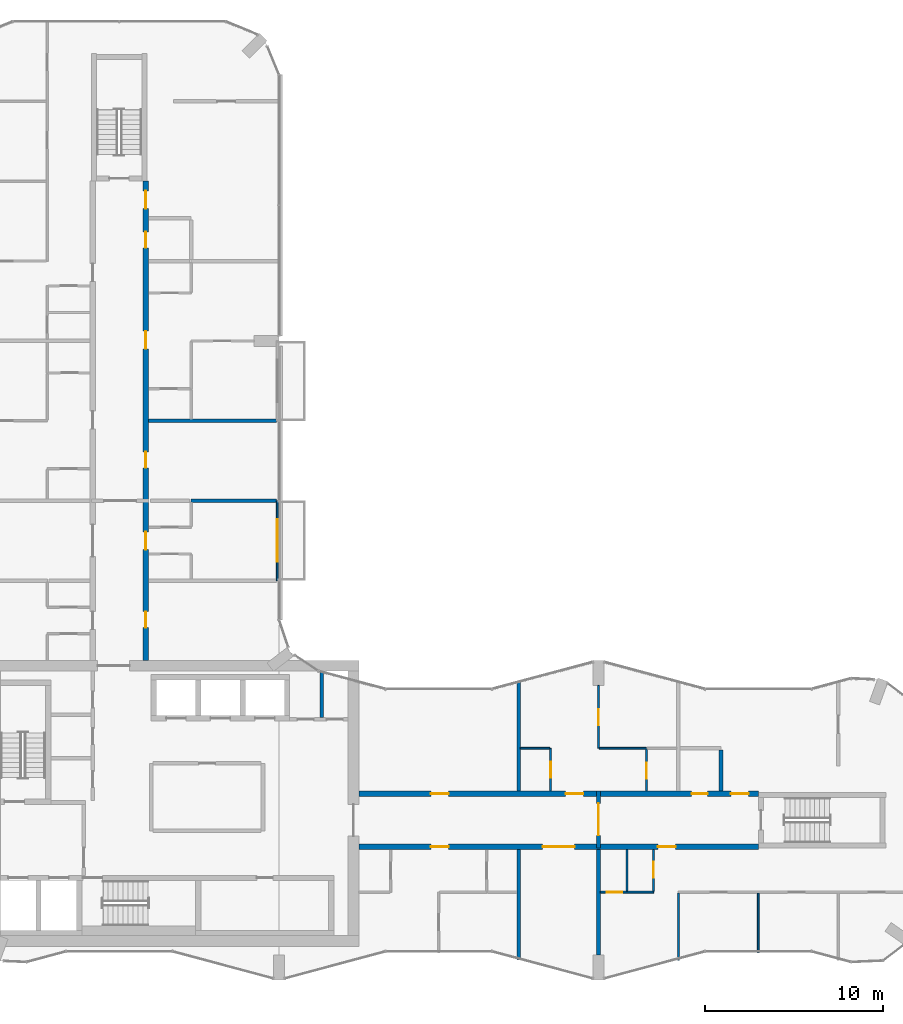
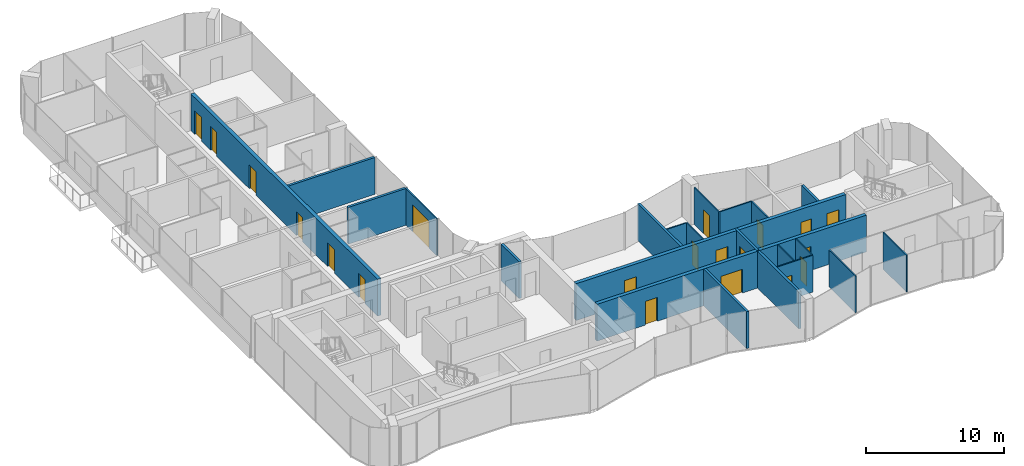
# One storey, part 11 of 15: 22 walls, 20 doors, 20 openings.
"""IFC4 building model written with IfcOpenShell, lengths in metres."""

from ifc_helpers import new_model, si_unit, direction, frame, frame_2d, origin, place, context, subcontext, project, spatial, rectangle, extrude, material, layer, layer_set, type_object, element, fill, save


model = new_model("IFC4")

# Units and contexts
model_context = context("Model", 3, precision=1e-05, world=origin(), true_north=direction((0.0, 1.0)))
body_context = subcontext(model_context, "Body", "Model", "MODEL_VIEW")
ifc_project = project(units=[si_unit("LENGTHUNIT", "METRE"), si_unit("AREAUNIT", "SQUARE_METRE"), si_unit("VOLUMEUNIT", "CUBIC_METRE"), si_unit("PLANEANGLEUNIT", "RADIAN"), si_unit("MASSUNIT", "GRAM", prefix="KILO")], contexts=[model_context])

# Site, building, storey
site_placement = place(None, origin())
site = spatial("IfcSite", under=ifc_project, at=site_placement, CompositionType="ELEMENT")
building_placement = place(site_placement, origin())
building = spatial("IfcBuilding", under=site, at=building_placement, Name="Plateau Cross Towers", CompositionType="ELEMENT")
storey_placement = place(building_placement, frame((0.0, 0.0, 153.39990234375)))
storey = spatial("IfcBuildingStorey", under=building, at=storey_placement, Name="L39", CompositionType="ELEMENT", Elevation=153.39990234375)

# Wall, opening, door
ifc_material_1 = material(Name="Aluminium framed glazing", Category="aluminium")
ifc_layer_1 = layer(ifc_material_1, 0.10009765625)
ifc_layer_set_1 = layer_set([ifc_layer_1], Name="Aluminium framed glazing")
wall_type_1 = type_object("IfcWallType", Name="Balcony screen wall 100", PredefinedType="STANDARD", material=ifc_layer_set_1)
wall_1_placement = place(storey_placement, frame((17.89990234375, 27.0, 0.0), z_axis=(0.0, 0.0, 1.0), x_axis=(0.0, -1.0, 0.0)))
wall_1 = element("IfcWall", 1, at=wall_1_placement, inside=storey, type_object=wall_type_1, Name="Balcony screen wall A-BAL-L39-03", PredefinedType="STANDARD", context=body_context, shape_type="SweptSolid", body=[
    extrude(rectangle(XDim=4.5, YDim=0.10009765625, at=frame_2d((2.25, 0.0))), origin(), (0.0, 0.0, 1.0), 3.25),
])
opening_1_placement = place(wall_1_placement, frame((1.050048828125, 0.0, 0.0)))
opening_1 = element("IfcOpeningElement", 2, at=opening_1_placement, cuts=wall_1, Name="Opening D-B24", PredefinedType="OPENING", context=body_context, shape_type="SweptSolid", body=[
    extrude(rectangle(XDim=2.39990234375, YDim=2.39990234375, at=frame_2d((1.199951171875, 1.199951171875))), frame((0.0, 0.06005859375, 0.0), z_axis=(0.0, -1.0, 0.0), x_axis=(1.0, 0.0, 0.0)), (0.0, 0.0, 1.0), 0.1201171875),
])
ifc_material_2 = material(Name="Aluminium frame, double glazing", Category="aluminium")
door_type_1 = type_object("IfcDoorType", Name="Balcony sliding door 2400", OperationType="NOTDEFINED", PredefinedType="DOOR", material=ifc_material_2)
door_1_placement = place(opening_1_placement, origin())
door_1 = element("IfcDoor", 3, at=door_1_placement, inside=storey, type_object=door_type_1, Name="Balcony door A-BAL-L39-03", OperationType="SINGLE_SWING_LEFT", OverallHeight=2.39990234375, OverallWidth=2.39990234375, PredefinedType="DOOR", context=body_context, shape_type="SweptSolid", body=[
    extrude(rectangle(XDim=2.39990234375, YDim=2.39990234375, at=frame_2d((1.199951171875, 1.199951171875))), frame((0.0, 0.02490234375, 0.0), z_axis=(0.0, -1.0, 0.0), x_axis=(1.0, 0.0, 0.0)), (0.0, 0.0, 1.0), 0.050048828125),
])
fill(opening_1, door_1)

# Wall
ifc_material_3 = material(Name="Concrete block, plastered both sides", Category="concrete")
ifc_layer_2 = layer(ifc_material_3, 0.199951171875)
ifc_layer_set_2 = layer_set([ifc_layer_2], Name="Concrete block, plastered both sides")
wall_type_2 = type_object("IfcWallType", Name="Core partition 200", PredefinedType="PARTITIONING", material=ifc_layer_set_2)
wall_2_placement = place(storey_placement, frame((20.39990234375, 14.800048828125, 0.0), z_axis=(0.0, 0.0, 1.0), x_axis=(0.0, 1.0, 0.0)))
element("IfcWall", 4, at=wall_2_placement, inside=storey, type_object=wall_type_2, Name="Core partition", PredefinedType="PARTITIONING", context=body_context, shape_type="SweptSolid", body=[
    extrude(rectangle(XDim=2.599853515625, YDim=0.199951171875, at=frame_2d((1.2998046875, 0.0))), origin(), (0.0, 0.0, 1.0), 3.25),
])

# Wall, openings, doors
ifc_material_4 = material(Name="Concrete C60/75", Category="concrete")
ifc_layer_3 = layer(ifc_material_4, 0.300048828125)
ifc_layer_set_3 = layer_set([ifc_layer_3], Name="Concrete C60/75")
wall_type_3 = type_object("IfcWallType", Name="Corridor wall 300", PredefinedType="SHEAR", material=ifc_layer_set_3)
wall_3_placement = place(storey_placement, frame((22.5, 7.5, 0.0), z_axis=(0.0, 0.0, 1.0), x_axis=(1.0, 0.0, 0.0)))
wall_3 = element("IfcWall", 5, at=wall_3_placement, inside=storey, type_object=wall_type_3, Name="A-cw-S1@L39", PredefinedType="SHEAR", context=body_context, shape_type="SweptSolid", body=[
    extrude(rectangle(XDim=22.5, YDim=0.300048828125, at=frame_2d((11.25, 0.0))), origin(), (0.0, 0.0, 1.0), 3.25),
])
opening_2_placement = place(wall_3_placement, frame((4.050048828125, 0.0, 0.0)))
opening_2 = element("IfcOpeningElement", 6, at=opening_2_placement, cuts=wall_3, Name="Opening 39-01", PredefinedType="OPENING", context=body_context, shape_type="SweptSolid", body=[
    extrude(rectangle(XDim=1.0, YDim=2.10009765625, at=frame_2d((0.5, 1.050048828125))), frame((0.0, 0.159912109375, 0.0), z_axis=(0.0, -1.0, 0.0), x_axis=(1.0, 0.0, 0.0)), (0.0, 0.0, 1.0), 0.320068359375),
])
opening_3_placement = place(wall_3_placement, frame((10.35009765625, 0.0, 0.0)))
opening_3 = element("IfcOpeningElement", 7, at=opening_3_placement, cuts=wall_3, Name="Opening 39-02", PredefinedType="OPENING", context=body_context, shape_type="SweptSolid", body=[
    extrude(rectangle(XDim=1.800048828125, YDim=2.10009765625, at=frame_2d((0.89990234375, 1.050048828125))), frame((0.0, 0.159912109375, 0.0), z_axis=(0.0, -1.0, 0.0), x_axis=(1.0, 0.0, 0.0)), (0.0, 0.0, 1.0), 0.320068359375),
])
opening_4_placement = place(wall_3_placement, frame((16.85009765625, 0.0, 0.0)))
opening_4 = element("IfcOpeningElement", 8, at=opening_4_placement, cuts=wall_3, Name="Opening 39-03", PredefinedType="OPENING", context=body_context, shape_type="SweptSolid", body=[
    extrude(rectangle(XDim=1.0, YDim=2.10009765625, at=frame_2d((0.5, 1.050048828125))), frame((0.0, 0.159912109375, 0.0), z_axis=(0.0, -1.0, 0.0), x_axis=(1.0, 0.0, 0.0)), (0.0, 0.0, 1.0), 0.320068359375),
])
ifc_material_5 = material(Name="Timber, fire-resisting leaf", Category="wood")
door_type_2 = type_object("IfcDoorType", Name="Flat entrance door 1000", OperationType="NOTDEFINED", PredefinedType="DOOR", material=ifc_material_5)
door_2_placement = place(opening_2_placement, origin())
door_2 = element("IfcDoor", 9, at=door_2_placement, inside=storey, type_object=door_type_2, Name="Door 39-01", OperationType="SINGLE_SWING_LEFT", OverallHeight=2.10009765625, OverallWidth=1.0, PredefinedType="DOOR", context=body_context, shape_type="SweptSolid", body=[
    extrude(rectangle(XDim=1.0, YDim=2.10009765625, at=frame_2d((0.5, 1.050048828125))), frame((0.0, 0.02490234375, 0.0), z_axis=(0.0, -1.0, 0.0), x_axis=(1.0, 0.0, 0.0)), (0.0, 0.0, 1.0), 0.050048828125),
])
fill(opening_2, door_2)
door_3_placement = place(opening_4_placement, origin())
door_3 = element("IfcDoor", 10, at=door_3_placement, inside=storey, type_object=door_type_2, Name="Door 39-03", OperationType="SINGLE_SWING_RIGHT", OverallHeight=2.10009765625, OverallWidth=1.0, PredefinedType="DOOR", context=body_context, shape_type="SweptSolid", body=[
    extrude(rectangle(XDim=1.0, YDim=2.10009765625, at=frame_2d((0.5, 1.050048828125))), frame((0.0, 0.02490234375, 0.0), z_axis=(0.0, -1.0, 0.0), x_axis=(1.0, 0.0, 0.0)), (0.0, 0.0, 1.0), 0.050048828125),
])
fill(opening_4, door_3)
ifc_material_6 = material(Name="Timber, fire-resisting leaves", Category="wood")
door_type_3 = type_object("IfcDoorType", Name="Flat floor fire door pair 1800", OperationType="NOTDEFINED", PredefinedType="DOOR", material=ifc_material_6)
door_4_placement = place(opening_3_placement, origin())
door_4 = element("IfcDoor", 11, at=door_4_placement, inside=storey, type_object=door_type_3, Name="Door 39-02", OperationType="SINGLE_SWING_LEFT", OverallHeight=2.10009765625, OverallWidth=1.800048828125, PredefinedType="DOOR", context=body_context, shape_type="SweptSolid", body=[
    extrude(rectangle(XDim=1.800048828125, YDim=2.10009765625, at=frame_2d((0.89990234375, 1.050048828125))), frame((0.0, 0.02490234375, 0.0), z_axis=(0.0, -1.0, 0.0), x_axis=(1.0, 0.0, 0.0)), (0.0, 0.0, 1.0), 0.050048828125),
])
fill(opening_3, door_4)

wall_4_placement = place(storey_placement, frame((22.5, 10.5, 0.0), z_axis=(0.0, 0.0, 1.0), x_axis=(1.0, 0.0, 0.0)))
wall_4 = element("IfcWall", 12, at=wall_4_placement, inside=storey, type_object=wall_type_3, Name="A-cw-S2@L39", PredefinedType="SHEAR", context=body_context, shape_type="SweptSolid", body=[
    extrude(rectangle(XDim=22.5, YDim=0.300048828125, at=frame_2d((11.25, 0.0))), origin(), (0.0, 0.0, 1.0), 3.25),
])
opening_5_placement = place(wall_4_placement, frame((4.050048828125, 0.0, 0.0)))
opening_5 = element("IfcOpeningElement", 13, at=opening_5_placement, cuts=wall_4, Name="Opening 39-04", PredefinedType="OPENING", context=body_context, shape_type="SweptSolid", body=[
    extrude(rectangle(XDim=1.0, YDim=2.10009765625, at=frame_2d((0.5, 1.050048828125))), frame((0.0, 0.159912109375, 0.0), z_axis=(0.0, -1.0, 0.0), x_axis=(1.0, 0.0, 0.0)), (0.0, 0.0, 1.0), 0.320068359375),
])
opening_6_placement = place(wall_4_placement, frame((11.64990234375, 0.0, 0.0)))
opening_6 = element("IfcOpeningElement", 14, at=opening_6_placement, cuts=wall_4, Name="Opening 39-05", PredefinedType="OPENING", context=body_context, shape_type="SweptSolid", body=[
    extrude(rectangle(XDim=1.0, YDim=2.10009765625, at=frame_2d((0.5, 1.050048828125))), frame((0.0, 0.159912109375, 0.0), z_axis=(0.0, -1.0, 0.0), x_axis=(1.0, 0.0, 0.0)), (0.0, 0.0, 1.0), 0.320068359375),
])
opening_7_placement = place(wall_4_placement, frame((18.75, 0.0, 0.0)))
opening_7 = element("IfcOpeningElement", 15, at=opening_7_placement, cuts=wall_4, Name="Opening 39-06", PredefinedType="OPENING", context=body_context, shape_type="SweptSolid", body=[
    extrude(rectangle(XDim=0.89990234375, YDim=2.10009765625, at=frame_2d((0.449951171875, 1.050048828125))), frame((0.0, 0.159912109375, 0.0), z_axis=(0.0, -1.0, 0.0), x_axis=(1.0, 0.0, 0.0)), (0.0, 0.0, 1.0), 0.320068359375),
])
opening_8_placement = place(wall_4_placement, frame((20.949951171875, 0.0, 0.0)))
opening_8 = element("IfcOpeningElement", 16, at=opening_8_placement, cuts=wall_4, Name="Opening 39-07", PredefinedType="OPENING", context=body_context, shape_type="SweptSolid", body=[
    extrude(rectangle(XDim=1.0, YDim=2.10009765625, at=frame_2d((0.5, 1.050048828125))), frame((0.0, 0.159912109375, 0.0), z_axis=(0.0, -1.0, 0.0), x_axis=(1.0, 0.0, 0.0)), (0.0, 0.0, 1.0), 0.320068359375),
])
door_5_placement = place(opening_5_placement, origin())
door_5 = element("IfcDoor", 17, at=door_5_placement, inside=storey, type_object=door_type_2, Name="Door 39-04", OperationType="SINGLE_SWING_LEFT", OverallHeight=2.10009765625, OverallWidth=1.0, PredefinedType="DOOR", context=body_context, shape_type="SweptSolid", body=[
    extrude(rectangle(XDim=1.0, YDim=2.10009765625, at=frame_2d((0.5, 1.050048828125))), frame((0.0, 0.02490234375, 0.0), z_axis=(0.0, -1.0, 0.0), x_axis=(1.0, 0.0, 0.0)), (0.0, 0.0, 1.0), 0.050048828125),
])
fill(opening_5, door_5)
door_6_placement = place(opening_6_placement, origin())
door_6 = element("IfcDoor", 18, at=door_6_placement, inside=storey, type_object=door_type_2, Name="Door 39-05", OperationType="SINGLE_SWING_RIGHT", OverallHeight=2.10009765625, OverallWidth=1.0, PredefinedType="DOOR", context=body_context, shape_type="SweptSolid", body=[
    extrude(rectangle(XDim=1.0, YDim=2.10009765625, at=frame_2d((0.5, 1.050048828125))), frame((0.0, 0.02490234375, 0.0), z_axis=(0.0, -1.0, 0.0), x_axis=(1.0, 0.0, 0.0)), (0.0, 0.0, 1.0), 0.050048828125),
])
fill(opening_6, door_6)
door_7_placement = place(opening_8_placement, origin())
door_7 = element("IfcDoor", 19, at=door_7_placement, inside=storey, type_object=door_type_2, Name="Door 39-07", OperationType="SINGLE_SWING_RIGHT", OverallHeight=2.10009765625, OverallWidth=1.0, PredefinedType="DOOR", context=body_context, shape_type="SweptSolid", body=[
    extrude(rectangle(XDim=1.0, YDim=2.10009765625, at=frame_2d((0.5, 1.050048828125))), frame((0.0, 0.02490234375, 0.0), z_axis=(0.0, -1.0, 0.0), x_axis=(1.0, 0.0, 0.0)), (0.0, 0.0, 1.0), 0.050048828125),
])
fill(opening_8, door_7)
door_type_4 = type_object("IfcDoorType", Name="Flat floor service door 900", OperationType="NOTDEFINED", PredefinedType="DOOR", material=ifc_material_5)
door_8_placement = place(opening_7_placement, origin())
door_8 = element("IfcDoor", 20, at=door_8_placement, inside=storey, type_object=door_type_4, Name="Door 39-06", OperationType="SINGLE_SWING_RIGHT", OverallHeight=2.10009765625, OverallWidth=0.89990234375, PredefinedType="DOOR", context=body_context, shape_type="SweptSolid", body=[
    extrude(rectangle(XDim=0.89990234375, YDim=2.10009765625, at=frame_2d((0.449951171875, 1.050048828125))), frame((0.0, 0.02490234375, 0.0), z_axis=(0.0, -1.0, 0.0), x_axis=(1.0, 0.0, 0.0)), (0.0, 0.0, 1.0), 0.050048828125),
])
fill(opening_7, door_8)

wall_5_placement = place(storey_placement, frame((10.5, 18.0, 0.0), z_axis=(0.0, 0.0, 1.0), x_axis=(0.0, 1.0, 0.0)))
wall_5 = element("IfcWall", 21, at=wall_5_placement, inside=storey, type_object=wall_type_3, Name="A-cw-W2@L39", PredefinedType="SHEAR", context=body_context, shape_type="SweptSolid", body=[
    extrude(rectangle(XDim=27.0, YDim=0.300048828125, at=frame_2d((13.5, 0.0))), origin(), (0.0, 0.0, 1.0), 3.25),
])
opening_9_placement = place(wall_5_placement, frame((1.85009765625, 0.0, 0.0)))
opening_9 = element("IfcOpeningElement", 22, at=opening_9_placement, cuts=wall_5, Name="Opening 39-12", PredefinedType="OPENING", context=body_context, shape_type="SweptSolid", body=[
    extrude(rectangle(XDim=0.89990234375, YDim=2.10009765625, at=frame_2d((0.449951171875, 1.050048828125))), frame((0.0, 0.159912109375, 0.0), z_axis=(0.0, -1.0, 0.0), x_axis=(1.0, 0.0, 0.0)), (0.0, 0.0, 1.0), 0.320068359375),
])
opening_10_placement = place(wall_5_placement, frame((6.25, 0.0, 0.0)))
opening_10 = element("IfcOpeningElement", 23, at=opening_10_placement, cuts=wall_5, Name="Opening 39-13", PredefinedType="OPENING", context=body_context, shape_type="SweptSolid", body=[
    extrude(rectangle(XDim=1.0, YDim=2.10009765625, at=frame_2d((0.5, 1.050048828125))), frame((0.0, 0.159912109375, 0.0), z_axis=(0.0, -1.0, 0.0), x_axis=(1.0, 0.0, 0.0)), (0.0, 0.0, 1.0), 0.320068359375),
])
opening_11_placement = place(wall_5_placement, frame((10.85009765625, 0.0, 0.0)))
opening_11 = element("IfcOpeningElement", 24, at=opening_11_placement, cuts=wall_5, Name="Opening 39-14", PredefinedType="OPENING", context=body_context, shape_type="SweptSolid", body=[
    extrude(rectangle(XDim=0.89990234375, YDim=2.10009765625, at=frame_2d((0.449951171875, 1.050048828125))), frame((0.0, 0.159912109375, 0.0), z_axis=(0.0, -1.0, 0.0), x_axis=(1.0, 0.0, 0.0)), (0.0, 0.0, 1.0), 0.320068359375),
])
opening_12_placement = place(wall_5_placement, frame((17.550048828125, 0.0, 0.0)))
opening_12 = element("IfcOpeningElement", 25, at=opening_12_placement, cuts=wall_5, Name="Opening 39-15", PredefinedType="OPENING", context=body_context, shape_type="SweptSolid", body=[
    extrude(rectangle(XDim=1.0, YDim=2.10009765625, at=frame_2d((0.5, 1.050048828125))), frame((0.0, 0.159912109375, 0.0), z_axis=(0.0, -1.0, 0.0), x_axis=(1.0, 0.0, 0.0)), (0.0, 0.0, 1.0), 0.320068359375),
])
opening_13_placement = place(wall_5_placement, frame((23.25, 0.0, 0.0)))
opening_13 = element("IfcOpeningElement", 26, at=opening_13_placement, cuts=wall_5, Name="Opening 39-16", PredefinedType="OPENING", context=body_context, shape_type="SweptSolid", body=[
    extrude(rectangle(XDim=0.89990234375, YDim=2.10009765625, at=frame_2d((0.449951171875, 1.050048828125))), frame((0.0, 0.159912109375, 0.0), z_axis=(0.0, -1.0, 0.0), x_axis=(1.0, 0.0, 0.0)), (0.0, 0.0, 1.0), 0.320068359375),
])
opening_14_placement = place(wall_5_placement, frame((25.449951171875, 0.0, 0.0)))
opening_14 = element("IfcOpeningElement", 27, at=opening_14_placement, cuts=wall_5, Name="Opening 39-17", PredefinedType="OPENING", context=body_context, shape_type="SweptSolid", body=[
    extrude(rectangle(XDim=1.0, YDim=2.10009765625, at=frame_2d((0.5, 1.050048828125))), frame((0.0, 0.159912109375, 0.0), z_axis=(0.0, -1.0, 0.0), x_axis=(1.0, 0.0, 0.0)), (0.0, 0.0, 1.0), 0.320068359375),
])
door_9_placement = place(opening_10_placement, origin())
door_9 = element("IfcDoor", 28, at=door_9_placement, inside=storey, type_object=door_type_2, Name="Door 39-13", OperationType="SINGLE_SWING_LEFT", OverallHeight=2.10009765625, OverallWidth=1.0, PredefinedType="DOOR", context=body_context, shape_type="SweptSolid", body=[
    extrude(rectangle(XDim=1.0, YDim=2.10009765625, at=frame_2d((0.5, 1.050048828125))), frame((0.0, 0.02490234375, 0.0), z_axis=(0.0, -1.0, 0.0), x_axis=(1.0, 0.0, 0.0)), (0.0, 0.0, 1.0), 0.050048828125),
])
fill(opening_10, door_9)
door_10_placement = place(opening_12_placement, origin())
door_10 = element("IfcDoor", 29, at=door_10_placement, inside=storey, type_object=door_type_2, Name="Door 39-15", OperationType="SINGLE_SWING_RIGHT", OverallHeight=2.10009765625, OverallWidth=1.0, PredefinedType="DOOR", context=body_context, shape_type="SweptSolid", body=[
    extrude(rectangle(XDim=1.0, YDim=2.10009765625, at=frame_2d((0.5, 1.050048828125))), frame((0.0, 0.02490234375, 0.0), z_axis=(0.0, -1.0, 0.0), x_axis=(1.0, 0.0, 0.0)), (0.0, 0.0, 1.0), 0.050048828125),
])
fill(opening_12, door_10)
door_11_placement = place(opening_14_placement, origin())
door_11 = element("IfcDoor", 30, at=door_11_placement, inside=storey, type_object=door_type_2, Name="Door 39-17", OperationType="SINGLE_SWING_RIGHT", OverallHeight=2.10009765625, OverallWidth=1.0, PredefinedType="DOOR", context=body_context, shape_type="SweptSolid", body=[
    extrude(rectangle(XDim=1.0, YDim=2.10009765625, at=frame_2d((0.5, 1.050048828125))), frame((0.0, 0.02490234375, 0.0), z_axis=(0.0, -1.0, 0.0), x_axis=(1.0, 0.0, 0.0)), (0.0, 0.0, 1.0), 0.050048828125),
])
fill(opening_14, door_11)
door_12_placement = place(opening_9_placement, origin())
door_12 = element("IfcDoor", 31, at=door_12_placement, inside=storey, type_object=door_type_4, Name="Door 39-12", OperationType="SINGLE_SWING_LEFT", OverallHeight=2.10009765625, OverallWidth=0.89990234375, PredefinedType="DOOR", context=body_context, shape_type="SweptSolid", body=[
    extrude(rectangle(XDim=0.89990234375, YDim=2.10009765625, at=frame_2d((0.449951171875, 1.050048828125))), frame((0.0, 0.02490234375, 0.0), z_axis=(0.0, -1.0, 0.0), x_axis=(1.0, 0.0, 0.0)), (0.0, 0.0, 1.0), 0.050048828125),
])
fill(opening_9, door_12)
door_13_placement = place(opening_11_placement, origin())
door_13 = element("IfcDoor", 32, at=door_13_placement, inside=storey, type_object=door_type_4, Name="Door 39-14", OperationType="SINGLE_SWING_LEFT", OverallHeight=2.10009765625, OverallWidth=0.89990234375, PredefinedType="DOOR", context=body_context, shape_type="SweptSolid", body=[
    extrude(rectangle(XDim=0.89990234375, YDim=2.10009765625, at=frame_2d((0.449951171875, 1.050048828125))), frame((0.0, 0.02490234375, 0.0), z_axis=(0.0, -1.0, 0.0), x_axis=(1.0, 0.0, 0.0)), (0.0, 0.0, 1.0), 0.050048828125),
])
fill(opening_11, door_13)
door_14_placement = place(opening_13_placement, origin())
door_14 = element("IfcDoor", 33, at=door_14_placement, inside=storey, type_object=door_type_4, Name="Door 39-16", OperationType="SINGLE_SWING_RIGHT", OverallHeight=2.10009765625, OverallWidth=0.89990234375, PredefinedType="DOOR", context=body_context, shape_type="SweptSolid", body=[
    extrude(rectangle(XDim=0.89990234375, YDim=2.10009765625, at=frame_2d((0.449951171875, 1.050048828125))), frame((0.0, 0.02490234375, 0.0), z_axis=(0.0, -1.0, 0.0), x_axis=(1.0, 0.0, 0.0)), (0.0, 0.0, 1.0), 0.050048828125),
])
fill(opening_13, door_14)

# Wall, opening, door
ifc_material_7 = material(Name="Gypsum board on steel studs", Category="steel")
ifc_layer_4 = layer(ifc_material_7, 0.10009765625)
ifc_layer_set_4 = layer_set([ifc_layer_4], Name="Gypsum board on steel studs")
wall_type_4 = type_object("IfcWallType", Name="Flat partition 100", PredefinedType="PARTITIONING", material=ifc_layer_set_4)
wall_6_placement = place(storey_placement, frame((36.10009765625, 4.949951171875, 0.0), z_axis=(0.0, 0.0, 1.0), x_axis=(1.0, 0.0, 0.0)))
wall_6 = element("IfcWall", 34, at=wall_6_placement, inside=storey, type_object=wall_type_4, Name="Partition wall", PredefinedType="PARTITIONING", context=body_context, shape_type="SweptSolid", body=[
    extrude(rectangle(XDim=3.0, YDim=0.10009765625, at=frame_2d((1.5, 0.0))), origin(), (0.0, 0.0, 1.0), 3.25),
])
opening_15_placement = place(wall_6_placement, frame((0.35009765625, 0.0, 0.0)))
opening_15 = element("IfcOpeningElement", 35, at=opening_15_placement, cuts=wall_6, Name="Opening 39-25", PredefinedType="OPENING", context=body_context, shape_type="SweptSolid", body=[
    extrude(rectangle(XDim=0.89990234375, YDim=2.10009765625, at=frame_2d((0.449951171875, 1.050048828125))), frame((0.0, 0.06005859375, 0.0), z_axis=(0.0, -1.0, 0.0), x_axis=(1.0, 0.0, 0.0)), (0.0, 0.0, 1.0), 0.1201171875),
])
ifc_material_8 = material(Name="Timber leaf", Category="wood")
door_type_5 = type_object("IfcDoorType", Name="Flat room door 900", OperationType="NOTDEFINED", PredefinedType="DOOR", material=ifc_material_8)
door_15_placement = place(opening_15_placement, origin())
door_15 = element("IfcDoor", 36, at=door_15_placement, inside=storey, type_object=door_type_5, Name="Door 39-25", OperationType="SINGLE_SWING_LEFT", OverallHeight=2.10009765625, OverallWidth=0.89990234375, PredefinedType="DOOR", context=body_context, shape_type="SweptSolid", body=[
    extrude(rectangle(XDim=0.89990234375, YDim=2.10009765625, at=frame_2d((0.449951171875, 1.050048828125))), frame((0.0, 0.02490234375, 0.0), z_axis=(0.0, -1.0, 0.0), x_axis=(1.0, 0.0, 0.0)), (0.0, 0.0, 1.0), 0.050048828125),
])
fill(opening_15, door_15)

# Walls
wall_7_placement = place(storey_placement, frame((33.25, 13.050048828125, 0.0), z_axis=(0.0, 0.0, 1.0), x_axis=(-1.0, 0.0, 0.0)))
element("IfcWall", 37, at=wall_7_placement, inside=storey, type_object=wall_type_4, Name="Partition wall", PredefinedType="PARTITIONING", context=body_context, shape_type="SweptSolid", body=[
    extrude(rectangle(XDim=1.64990234375, YDim=0.10009765625, at=frame_2d((0.824951171875, 0.0))), origin(), (0.0, 0.0, 1.0), 3.25),
])
wall_8_placement = place(storey_placement, frame((36.050048828125, 13.050048828125, 0.0), z_axis=(0.0, 0.0, 1.0), x_axis=(1.0, 0.0, 0.0)))
element("IfcWall", 38, at=wall_8_placement, inside=storey, type_object=wall_type_4, Name="Partition wall", PredefinedType="PARTITIONING", context=body_context, shape_type="SweptSolid", body=[
    extrude(rectangle(XDim=2.64990234375, YDim=0.10009765625, at=frame_2d((1.324951171875, 0.0))), origin(), (0.0, 0.0, 1.0), 3.25),
])

# Wall, opening, door
wall_9_placement = place(storey_placement, frame((33.300048828125, 10.64990234375, 0.0), z_axis=(0.0, 0.0, 1.0), x_axis=(0.0, 1.0, 0.0)))
wall_9 = element("IfcWall", 39, at=wall_9_placement, inside=storey, type_object=wall_type_4, Name="Partition wall", PredefinedType="PARTITIONING", context=body_context, shape_type="SweptSolid", body=[
    extrude(rectangle(XDim=2.400146484375, YDim=0.10009765625, at=frame_2d((1.2001953125, 0.0))), origin(), (0.0, 0.0, 1.0), 3.25),
])
opening_16_placement = place(wall_9_placement, frame((0.75, 0.0, 0.0)))
opening_16 = element("IfcOpeningElement", 40, at=opening_16_placement, cuts=wall_9, Name="Opening 39-30", PredefinedType="OPENING", context=body_context, shape_type="SweptSolid", body=[
    extrude(rectangle(XDim=0.89990234375, YDim=2.10009765625, at=frame_2d((0.449951171875, 1.050048828125))), frame((0.0, 0.06005859375, 0.0), z_axis=(0.0, -1.0, 0.0), x_axis=(1.0, 0.0, 0.0)), (0.0, 0.0, 1.0), 0.1201171875),
])
door_16_placement = place(opening_16_placement, origin())
door_16 = element("IfcDoor", 41, at=door_16_placement, inside=storey, type_object=door_type_5, Name="Door 39-30", OperationType="SINGLE_SWING_LEFT", OverallHeight=2.10009765625, OverallWidth=0.89990234375, PredefinedType="DOOR", context=body_context, shape_type="SweptSolid", body=[
    extrude(rectangle(XDim=0.89990234375, YDim=2.10009765625, at=frame_2d((0.449951171875, 1.050048828125))), frame((0.0, 0.02490234375, 0.0), z_axis=(0.0, -1.0, 0.0), x_axis=(1.0, 0.0, 0.0)), (0.0, 0.0, 1.0), 0.050048828125),
])
fill(opening_16, door_16)

wall_10_placement = place(storey_placement, frame((36.0, 16.60009765625, 0.0), z_axis=(0.0, 0.0, 1.0), x_axis=(0.0, -1.0, 0.0)))
wall_10 = element("IfcWall", 42, at=wall_10_placement, inside=storey, type_object=wall_type_4, Name="Partition wall", PredefinedType="PARTITIONING", context=body_context, shape_type="SweptSolid", body=[
    extrude(rectangle(XDim=3.550048828125, YDim=0.10009765625, at=frame_2d((1.77490234375, 0.0))), origin(), (0.0, 0.0, 1.0), 3.25),
])
opening_17_placement = place(wall_10_placement, frame((1.35009765625, 0.0, 0.0)))
opening_17 = element("IfcOpeningElement", 43, at=opening_17_placement, cuts=wall_10, Name="Opening 39-32", PredefinedType="OPENING", context=body_context, shape_type="SweptSolid", body=[
    extrude(rectangle(XDim=0.89990234375, YDim=2.10009765625, at=frame_2d((0.449951171875, 1.050048828125))), frame((0.0, 0.06005859375, 0.0), z_axis=(0.0, -1.0, 0.0), x_axis=(1.0, 0.0, 0.0)), (0.0, 0.0, 1.0), 0.1201171875),
])
door_17_placement = place(opening_17_placement, origin())
door_17 = element("IfcDoor", 44, at=door_17_placement, inside=storey, type_object=door_type_5, Name="Door 39-32", OperationType="SINGLE_SWING_RIGHT", OverallHeight=2.10009765625, OverallWidth=0.89990234375, PredefinedType="DOOR", context=body_context, shape_type="SweptSolid", body=[
    extrude(rectangle(XDim=0.89990234375, YDim=2.10009765625, at=frame_2d((0.449951171875, 1.050048828125))), frame((0.0, 0.02490234375, 0.0), z_axis=(0.0, -1.0, 0.0), x_axis=(1.0, 0.0, 0.0)), (0.0, 0.0, 1.0), 0.050048828125),
])
fill(opening_17, door_17)

# Wall
wall_11_placement = place(storey_placement, frame((37.60009765625, 5.0, 0.0), z_axis=(0.0, 0.0, 1.0), x_axis=(0.0, 1.0, 0.0)))
element("IfcWall", 45, at=wall_11_placement, inside=storey, type_object=wall_type_4, Name="Partition wall", PredefinedType="PARTITIONING", context=body_context, shape_type="SweptSolid", body=[
    extrude(rectangle(XDim=2.35009765625, YDim=0.10009765625, at=frame_2d((1.175048828125, 0.0))), origin(), (0.0, 0.0, 1.0), 3.25),
])

# Wall, opening, door
wall_12_placement = place(storey_placement, frame((38.699951171875, 13.0, 0.0), z_axis=(0.0, 0.0, 1.0), x_axis=(0.0, -1.0, 0.0)))
wall_12 = element("IfcWall", 46, at=wall_12_placement, inside=storey, type_object=wall_type_4, Name="Partition wall", PredefinedType="PARTITIONING", context=body_context, shape_type="SweptSolid", body=[
    extrude(rectangle(XDim=2.35009765625, YDim=0.10009765625, at=frame_2d((1.175048828125, 0.0))), origin(), (0.0, 0.0, 1.0), 3.25),
])
opening_18_placement = place(wall_12_placement, frame((0.75, 0.0, 0.0)))
opening_18 = element("IfcOpeningElement", 47, at=opening_18_placement, cuts=wall_12, Name="Opening 39-31", PredefinedType="OPENING", context=body_context, shape_type="SweptSolid", body=[
    extrude(rectangle(XDim=0.89990234375, YDim=2.10009765625, at=frame_2d((0.449951171875, 1.050048828125))), frame((0.0, 0.06005859375, 0.0), z_axis=(0.0, -1.0, 0.0), x_axis=(1.0, 0.0, 0.0)), (0.0, 0.0, 1.0), 0.1201171875),
])
door_18_placement = place(opening_18_placement, origin())
door_18 = element("IfcDoor", 48, at=door_18_placement, inside=storey, type_object=door_type_5, Name="Door 39-31", OperationType="SINGLE_SWING_RIGHT", OverallHeight=2.10009765625, OverallWidth=0.89990234375, PredefinedType="DOOR", context=body_context, shape_type="SweptSolid", body=[
    extrude(rectangle(XDim=0.89990234375, YDim=2.10009765625, at=frame_2d((0.449951171875, 1.050048828125))), frame((0.0, 0.02490234375, 0.0), z_axis=(0.0, -1.0, 0.0), x_axis=(1.0, 0.0, 0.0)), (0.0, 0.0, 1.0), 0.050048828125),
])
fill(opening_18, door_18)

wall_13_placement = place(storey_placement, frame((39.10009765625, 5.0, 0.0), z_axis=(0.0, 0.0, 1.0), x_axis=(0.0, 1.0, 0.0)))
wall_13 = element("IfcWall", 49, at=wall_13_placement, inside=storey, type_object=wall_type_4, Name="Partition wall", PredefinedType="PARTITIONING", context=body_context, shape_type="SweptSolid", body=[
    extrude(rectangle(XDim=2.35009765625, YDim=0.10009765625, at=frame_2d((1.175048828125, 0.0))), origin(), (0.0, 0.0, 1.0), 3.25),
])
opening_19_placement = place(wall_13_placement, frame((0.75, 0.0, 0.0)))
opening_19 = element("IfcOpeningElement", 50, at=opening_19_placement, cuts=wall_13, Name="Opening 39-26", PredefinedType="OPENING", context=body_context, shape_type="SweptSolid", body=[
    extrude(rectangle(XDim=0.89990234375, YDim=2.10009765625, at=frame_2d((0.449951171875, 1.050048828125))), frame((0.0, 0.06005859375, 0.0), z_axis=(0.0, -1.0, 0.0), x_axis=(1.0, 0.0, 0.0)), (0.0, 0.0, 1.0), 0.1201171875),
])
door_19_placement = place(opening_19_placement, origin())
door_19 = element("IfcDoor", 51, at=door_19_placement, inside=storey, type_object=door_type_5, Name="Door 39-26", OperationType="SINGLE_SWING_RIGHT", OverallHeight=2.10009765625, OverallWidth=0.89990234375, PredefinedType="DOOR", context=body_context, shape_type="SweptSolid", body=[
    extrude(rectangle(XDim=0.89990234375, YDim=2.10009765625, at=frame_2d((0.449951171875, 1.050048828125))), frame((0.0, 0.02490234375, 0.0), z_axis=(0.0, -1.0, 0.0), x_axis=(1.0, 0.0, 0.0)), (0.0, 0.0, 1.0), 0.050048828125),
])
fill(opening_19, door_19)

# Walls
wall_14_placement = place(storey_placement, frame((40.5, 4.89990234375, 0.0), z_axis=(0.0, 0.0, 1.0), x_axis=(0.0, -1.0, 0.0)))
element("IfcWall", 52, at=wall_14_placement, inside=storey, type_object=wall_type_4, Name="Partition wall", PredefinedType="PARTITIONING", context=body_context, shape_type="SweptSolid", body=[
    extrude(rectangle(XDim=3.777587890625, YDim=0.10009765625, at=frame_2d((1.888671875, 0.0))), origin(), (0.0, 0.0, 1.0), 3.25),
])
wall_15_placement = place(storey_placement, frame((45.0, 1.52685546875, 0.0), z_axis=(0.0, 0.0, 1.0), x_axis=(0.0, 1.0, 0.0)))
element("IfcWall", 53, at=wall_15_placement, inside=storey, type_object=wall_type_4, Name="Partition wall", PredefinedType="PARTITIONING", context=body_context, shape_type="SweptSolid", body=[
    extrude(rectangle(XDim=3.373046875, YDim=0.10009765625, at=frame_2d((1.6865234375, 0.0))), origin(), (0.0, 0.0, 1.0), 3.25),
])
ifc_material_9 = material(Name="Gypsum board on steel studs, two layers each side", Category="steel")
ifc_layer_5 = layer(ifc_material_9, 0.199951171875)
ifc_layer_set_5 = layer_set([ifc_layer_5], Name="Gypsum board on steel studs, two layers each side")
wall_type_5 = type_object("IfcWallType", Name="Flat party wall 200", PredefinedType="PARTITIONING", material=ifc_layer_set_5)
wall_16_placement = place(storey_placement, frame((13.050048828125, 27.0, 0.0), z_axis=(0.0, 0.0, 1.0), x_axis=(1.0, 0.0, 0.0)))
element("IfcWall", 54, at=wall_16_placement, inside=storey, type_object=wall_type_5, Name="Party wall", PredefinedType="PARTITIONING", context=body_context, shape_type="SweptSolid", body=[
    extrude(rectangle(XDim=4.800048828125, YDim=0.199951171875, at=frame_2d((2.39990234375, 0.0))), origin(), (0.0, 0.0, 1.0), 3.25),
])
wall_17_placement = place(storey_placement, frame((17.85009765625, 31.5, 0.0), z_axis=(0.0, 0.0, 1.0), x_axis=(-1.0, 0.0, 0.0)))
element("IfcWall", 55, at=wall_17_placement, inside=storey, type_object=wall_type_5, Name="Party wall", PredefinedType="PARTITIONING", context=body_context, shape_type="SweptSolid", body=[
    extrude(rectangle(XDim=7.2001953125, YDim=0.199951171875, at=frame_2d((3.60009765625, 0.0))), origin(), (0.0, 0.0, 1.0), 3.25),
])
for number, where, z_axis, x_axis, name in (
    (56, (31.5, 1.122314453125, 0.0), (0.0, 0.0, 1.0), (0.0, 1.0, 0.0), "Party wall"),
    (57, (31.5, 10.64990234375, 0.0), (0.0, 0.0, 1.0), (0.0, 1.0, 0.0), "Party wall"),
):
    element("IfcWall", number, at=place(storey_placement, frame(where, z_axis=z_axis, x_axis=x_axis)), inside=storey, type_object=wall_type_5, Name=name, PredefinedType="PARTITIONING", context=body_context, shape_type="SweptSolid", body=[
        extrude(rectangle(XDim=6.227783203125, YDim=0.199951171875, at=frame_2d((3.11376953125, 0.0))), origin(), (0.0, 0.0, 1.0), 3.25),
    ])
wall_18_placement = place(storey_placement, frame((36.0, 1.39990234375, 0.0), z_axis=(0.0, 0.0, 1.0), x_axis=(0.0, 1.0, 0.0)))
element("IfcWall", 58, at=wall_18_placement, inside=storey, type_object=wall_type_5, Name="Party wall", PredefinedType="PARTITIONING", context=body_context, shape_type="SweptSolid", body=[
    extrude(rectangle(XDim=5.9501953125, YDim=0.199951171875, at=frame_2d((2.97509765625, 0.0))), origin(), (0.0, 0.0, 1.0), 3.25),
])
wall_19_placement = place(storey_placement, frame((42.89990234375, 10.64990234375, 0.0), z_axis=(0.0, 0.0, 1.0), x_axis=(0.0, 1.0, 0.0)))
element("IfcWall", 59, at=wall_19_placement, inside=storey, type_object=wall_type_5, Name="Party wall", PredefinedType="PARTITIONING", context=body_context, shape_type="SweptSolid", body=[
    extrude(rectangle(XDim=2.300048828125, YDim=0.199951171875, at=frame_2d((1.14990234375, 0.0))), origin(), (0.0, 0.0, 1.0), 3.25),
])

# Wall, opening, door
wall_20_placement = place(storey_placement, frame((36.0, 7.449951171875, 0.0), z_axis=(0.0, 0.0, 1.0), x_axis=(0.0, 1.0, 0.0)))
wall_20 = element("IfcWall", 60, at=wall_20_placement, inside=storey, type_object=wall_type_5, Name="Party wall", PredefinedType="PARTITIONING", context=body_context, shape_type="SweptSolid", body=[
    extrude(rectangle(XDim=3.199951171875, YDim=0.199951171875, at=frame_2d((1.60009765625, 0.0))), origin(), (0.0, 0.0, 1.0), 3.25),
])
opening_20_placement = place(wall_20_placement, frame((0.699951171875, 0.0, 0.0)))
opening_20 = element("IfcOpeningElement", 61, at=opening_20_placement, cuts=wall_20, Name="Opening 39-18", PredefinedType="OPENING", context=body_context, shape_type="SweptSolid", body=[
    extrude(rectangle(XDim=1.800048828125, YDim=2.10009765625, at=frame_2d((0.89990234375, 1.050048828125))), frame((0.0, 0.10986328125, 0.0), z_axis=(0.0, -1.0, 0.0), x_axis=(1.0, 0.0, 0.0)), (0.0, 0.0, 1.0), 0.219970703125),
])
door_20_placement = place(opening_20_placement, origin())
door_20 = element("IfcDoor", 62, at=door_20_placement, inside=storey, type_object=door_type_3, Name="Door 39-18", OperationType="SINGLE_SWING_LEFT", OverallHeight=2.10009765625, OverallWidth=1.800048828125, PredefinedType="DOOR", context=body_context, shape_type="SweptSolid", body=[
    extrude(rectangle(XDim=1.800048828125, YDim=2.10009765625, at=frame_2d((0.89990234375, 1.050048828125))), frame((0.0, 0.02490234375, 0.0), z_axis=(0.0, -1.0, 0.0), x_axis=(1.0, 0.0, 0.0)), (0.0, 0.0, 1.0), 0.050048828125),
])
fill(opening_20, door_20)

save(model, "model.ifc")
